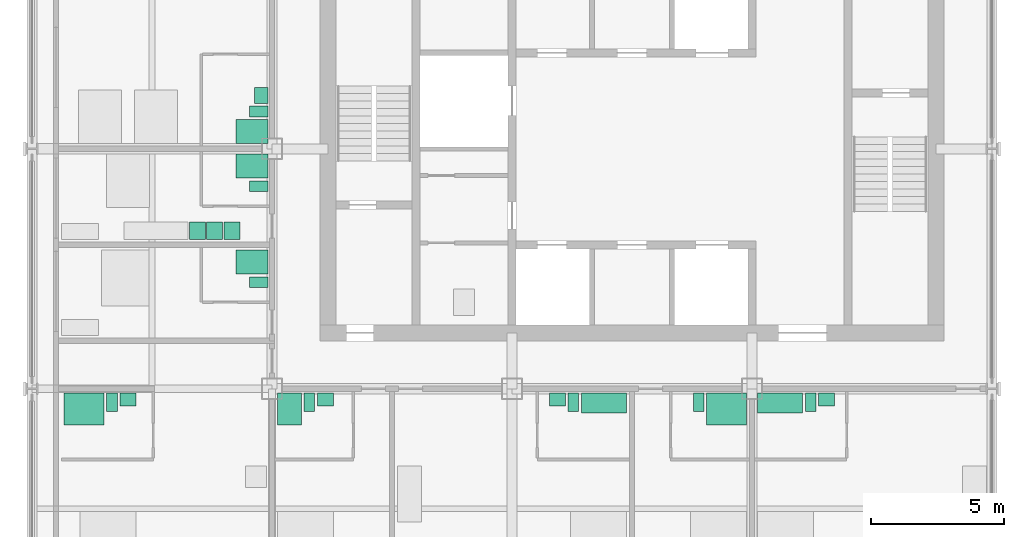
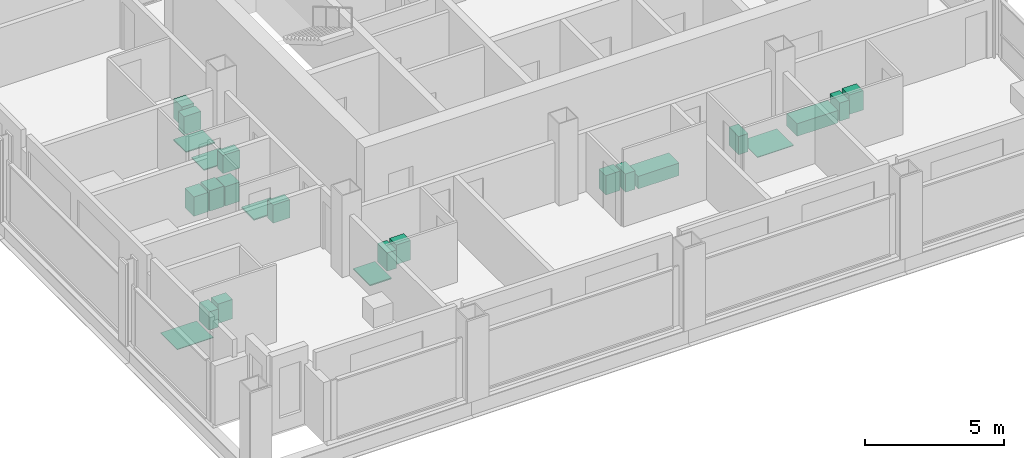
# One storey, part 11 of 12: 21 sanitary terminals, 3 electric appliances.
"""IFC4 building model written with IfcOpenShell, lengths in metres."""

import ifcopenshell
import ifcopenshell.guid

model = None  # the IFC model being written
_history = None  # IfcOwnerHistory: only IFC2X3 demands one
_inside = {}  # id of a spatial element -> (the spatial element, [elements in it])
_under = {}  # id of a project, library or spatial element -> (it, [spatial elements below it])
_declared = {}  # id of a project -> (the project, [libraries it declares])
_typed = {}  # id of a type object -> (the type object, [elements of that type])
_made_of = {}  # id of a material, layer set ... -> (it, [elements and type objects made of it])


def new_model(schema):
    """Start an empty IFC model of exactly this schema.

    Asked for "IFC4X3", IfcOpenShell would pick the latest addendum, in which some entities
    have other attributes; the version numbers below select the first issue.
    IFC2X3 requires an IfcOwnerHistory on every rooted entity: one is made here for all.
    """
    global model, _history
    if schema == "IFC4X3":
        model = ifcopenshell.file(schema_version=(4, 3, 0, 0))
    else:
        model = ifcopenshell.file(schema=schema)
    _inside.clear()
    _under.clear()
    _declared.clear()
    _typed.clear()
    _made_of.clear()
    _history = None
    if model.schema == "IFC2X3":
        org = make("IfcOrganization", Name="unknown")
        user = make(
            "IfcPersonAndOrganization",
            ThePerson=make("IfcPerson", FamilyName="unknown"),
            TheOrganization=org,
        )
        app = make(
            "IfcApplication",
            ApplicationDeveloper=org,
            Version="unknown",
            ApplicationFullName="unknown",
            ApplicationIdentifier="unknown",
        )
        _history = make(
            "IfcOwnerHistory",
            OwningUser=user,
            OwningApplication=app,
            ChangeAction="ADDED",
            CreationDate=0,
        )
    return model


def make(cls, **values):
    """One entity of the class cls with the attributes given. An attribute that is None is left unset."""
    return model.create_entity(
        cls, **{name: value for name, value in values.items() if value is not None}
    )


def rooted(cls, **values):
    """An entity with a GlobalId (a new one), such as an element, a storey or a relation."""
    return make(cls, GlobalId=ifcopenshell.guid.new(), OwnerHistory=_history, **values)


def si_unit(unit_type, name, prefix=None):
    """IfcSIUnit, for example si_unit("LENGTHUNIT", "METRE", prefix="MILLI")."""
    return make("IfcSIUnit", UnitType=unit_type, Prefix=prefix, Name=name)


def assignment(units):
    """IfcUnitAssignment: the units of a project."""
    return None if units is None else make("IfcUnitAssignment", Units=units)


def point(xyz):
    """IfcCartesianPoint."""
    return None if xyz is None else make("IfcCartesianPoint", Coordinates=xyz)


def direction(xyz):
    """IfcDirection."""
    return None if xyz is None else make("IfcDirection", DirectionRatios=xyz)


def frame(location, z_axis=None, x_axis=None):
    """IfcAxis2Placement3D, a coordinate frame: its origin and axes. An axis left out is left unset."""
    return make(
        "IfcAxis2Placement3D",
        Location=point(location),
        Axis=direction(z_axis),
        RefDirection=direction(x_axis),
    )


def frame_2d(location, x_axis=None):
    """IfcAxis2Placement2D, a coordinate frame in the plane: its origin and x axis."""
    return make(
        "IfcAxis2Placement2D", Location=point(location), RefDirection=direction(x_axis)
    )


def origin():
    """The frame at (0, 0, 0) with its axes left unset."""
    return frame((0.0, 0.0, 0.0))


def origin_2d():
    """The frame at (0, 0) in the plane with its x axis left unset."""
    return frame_2d((0.0, 0.0))


def place(relative_to, where):
    """IfcLocalPlacement: puts the frame where relative to a parent placement (None: the world)."""
    return make(
        "IfcLocalPlacement", PlacementRelTo=relative_to, RelativePlacement=where
    )


def context(
    kind, dimensions, precision=None, world=None, true_north=None, identifier=None
):
    """IfcGeometricRepresentationContext, for example the 3D "Model" context."""
    return make(
        "IfcGeometricRepresentationContext",
        ContextIdentifier=identifier,
        ContextType=kind,
        CoordinateSpaceDimension=dimensions,
        Precision=precision,
        WorldCoordinateSystem=world,
        TrueNorth=true_north,
    )


def subcontext(parent, identifier, kind, view, scale=None):
    """IfcGeometricRepresentationSubContext, for example "Body" below "Model"."""
    return make(
        "IfcGeometricRepresentationSubContext",
        ContextIdentifier=identifier,
        ContextType=kind,
        ParentContext=parent,
        TargetScale=scale,
        TargetView=view,
    )


def project(units=None, contexts=None):
    """IfcProject with its units and contexts."""
    return rooted(
        "IfcProject",
        Name="project",
        RepresentationContexts=contexts,
        UnitsInContext=assignment(units),
    )


def spatial(cls, under=None, at=None, **own):
    """A site, building, storey or space (cls), placed at a placement, below another one or the project."""
    s = rooted(cls, ObjectPlacement=at, **own)
    if under is not None:
        _under.setdefault(under.id(), (under, []))[1].append(s)
    return s


def profile(cls, at=None, kind="AREA", **sizes):
    """A parametric profile (cls). Its sizes go by their IFC names, for example OverallWidth=200.0."""
    return make(cls, ProfileType=kind, Position=at, **sizes)


def rectangle(**sizes):
    """IfcRectangleProfileDef."""
    return profile("IfcRectangleProfileDef", **sizes)


def extrude(swept, where, along, depth):
    """IfcExtrudedAreaSolid: the profile swept, set in the frame where, extruded along a direction by depth."""
    return make(
        "IfcExtrudedAreaSolid",
        SweptArea=swept,
        Position=where,
        ExtrudedDirection=direction(along),
        Depth=depth,
    )


def shape(context_of_items, identifier, shape_type, items):
    """IfcShapeRepresentation: the items that make up one representation, for example the "Body"."""
    return make(
        "IfcShapeRepresentation",
        ContextOfItems=context_of_items,
        RepresentationIdentifier=identifier,
        RepresentationType=shape_type,
        Items=items,
    )


def made_of(thing, what):
    """Note that an element or type object is made of a material, layer set ...; save() writes the relation."""
    if what is not None:
        _made_of.setdefault(what.id(), (what, []))[1].append(thing)
    return thing


def element(
    cls,
    number,
    at=None,
    inside=None,
    cuts=None,
    type_object=None,
    material=None,
    context=None,
    identifier="Body",
    shape_type=None,
    held_by="IfcProductDefinitionShape",
    body=None,
    shapes=None,
    **own,
):
    """One element of the class cls, such as IfcWall. Its Tag is "e" and its number.

    at: its placement. inside: the storey or other place that contains it. cuts: it is an
    opening in that element (IfcRelVoidsElement). A single representation is given by context,
    identifier, shape_type and body (its items); several are given by shapes. held_by: the class
    of the entity that holds the representations. save() writes the other relations.
    """
    e = rooted(cls, Tag="e%d" % number, ObjectPlacement=at, **own)
    if body is not None:
        shapes = [shape(context, identifier, shape_type, body)]
    if shapes is not None:
        e.Representation = make(held_by, Representations=shapes)
    if inside is not None:
        _inside.setdefault(inside.id(), (inside, []))[1].append(e)
    if cuts is not None:
        rooted(
            "IfcRelVoidsElement", RelatingBuildingElement=cuts, RelatedOpeningElement=e
        )
    if type_object is not None:
        _typed.setdefault(type_object.id(), (type_object, []))[1].append(e)
    return made_of(e, material)


def aggregate(whole, parts):
    """IfcRelAggregates: a whole, such as a stair, and the parts it consists of."""
    return rooted("IfcRelAggregates", RelatingObject=whole, RelatedObjects=parts)


def save(model, path):
    """Write the relations noted so far, then the file.

    IfcRelAggregates (storeys below a building ...), IfcRelContainedInSpatialStructure (elements
    in a storey), IfcRelDefinesByType, IfcRelAssociatesMaterial and IfcRelDeclares: one each for
    every whole, place, type object, material and project.
    """
    for whole, parts in _under.values():
        aggregate(whole, parts)
    for where, things in _inside.values():
        rooted(
            "IfcRelContainedInSpatialStructure",
            RelatedElements=things,
            RelatingStructure=where,
        )
    for kind, things in _typed.values():
        rooted("IfcRelDefinesByType", RelatedObjects=things, RelatingType=kind)
    for what, things in _made_of.values():
        rooted("IfcRelAssociatesMaterial", RelatedObjects=things, RelatingMaterial=what)
    for by, libraries in _declared.values():
        rooted("IfcRelDeclares", RelatingContext=by, RelatedDefinitions=libraries)
    model.write(path)


model = new_model("IFC4")

# Units and contexts
model_context = context("Model", 3, precision=1e-05, world=origin(), true_north=direction((0.0, 1.0)))
body_context = subcontext(model_context, "Body", "Model", "MODEL_VIEW")
ifc_project = project(units=[si_unit("LENGTHUNIT", "METRE"), si_unit("AREAUNIT", "SQUARE_METRE"), si_unit("VOLUMEUNIT", "CUBIC_METRE"), si_unit("PLANEANGLEUNIT", "RADIAN"), si_unit("MASSUNIT", "GRAM", prefix="KILO")], contexts=[model_context])

# Site, building, storey
site_placement = place(None, origin())
site = spatial("IfcSite", under=ifc_project, at=site_placement, CompositionType="ELEMENT")
building_placement = place(site_placement, origin())
building = spatial("IfcBuilding", under=site, at=building_placement, Name="Loomwork Tower", CompositionType="ELEMENT")
storey_placement = place(building_placement, frame((0.0, 0.0, 233.800048828125)))
storey = spatial("IfcBuildingStorey", under=building, at=storey_placement, Name="L64", CompositionType="ELEMENT", Elevation=233.800048828125)

# Sanitary terminals
sanitary_terminal_1_placement = place(storey_placement, frame((1.949951171875, 8.25, 0.0), z_axis=(0.0, 0.0, 1.0), x_axis=(1.0, 0.0, 0.0)))
element("IfcSanitaryTerminal", 1, at=sanitary_terminal_1_placement, inside=storey, Name="Roll-in shower floor L64", PredefinedType="SHOWER", context=body_context, shape_type="SweptSolid", body=[
    extrude(rectangle(XDim=1.5, YDim=1.199951171875, at=origin_2d()), origin(), (0.0, 0.0, 1.0), 0.030029296875),
])
sanitary_terminal_2_placement = place(storey_placement, frame((3.0, 8.5, 0.0), z_axis=(0.0, 0.0, 1.0), x_axis=(1.0, 0.0, 0.0)))
element("IfcSanitaryTerminal", 2, at=sanitary_terminal_2_placement, inside=storey, Name="WC L64", PredefinedType="TOILETPAN", context=body_context, shape_type="SweptSolid", body=[
    extrude(rectangle(XDim=0.39990234375, YDim=0.699951171875, at=origin_2d()), origin(), (0.0, 0.0, 1.0), 0.800048828125),
])
sanitary_terminal_3_placement = place(storey_placement, frame((3.60009765625, 8.60009765625, 0.0), z_axis=(0.0, 0.0, 1.0), x_axis=(1.0, 0.0, 0.0)))
element("IfcSanitaryTerminal", 3, at=sanitary_terminal_3_placement, inside=storey, Name="Basin vanity L64", PredefinedType="WASHHANDBASIN", context=body_context, shape_type="SweptSolid", body=[
    extrude(rectangle(XDim=0.60009765625, YDim=0.5, at=origin_2d()), origin(), (0.0, 0.0, 1.0), 0.85009765625),
])
sanitary_terminal_4_placement = place(storey_placement, frame((9.64990234375, 8.25, 0.0), z_axis=(0.0, 0.0, 1.0), x_axis=(1.0, 0.0, 0.0)))
element("IfcSanitaryTerminal", 4, at=sanitary_terminal_4_placement, inside=storey, Name="Shower tray L64", PredefinedType="SHOWER", context=body_context, shape_type="SweptSolid", body=[
    extrude(rectangle(XDim=0.89990234375, YDim=1.199951171875, at=origin_2d()), origin(), (0.0, 0.0, 1.0), 0.050048828125),
])
sanitary_terminal_5_placement = place(storey_placement, frame((10.39990234375, 8.5, 0.0), z_axis=(0.0, 0.0, 1.0), x_axis=(1.0, 0.0, 0.0)))
element("IfcSanitaryTerminal", 5, at=sanitary_terminal_5_placement, inside=storey, Name="WC L64", PredefinedType="TOILETPAN", context=body_context, shape_type="SweptSolid", body=[
    extrude(rectangle(XDim=0.39990234375, YDim=0.699951171875, at=origin_2d()), origin(), (0.0, 0.0, 1.0), 0.800048828125),
])
sanitary_terminal_6_placement = place(storey_placement, frame((11.0, 8.60009765625, 0.0), z_axis=(0.0, 0.0, 1.0), x_axis=(1.0, 0.0, 0.0)))
element("IfcSanitaryTerminal", 6, at=sanitary_terminal_6_placement, inside=storey, Name="Basin vanity L64", PredefinedType="WASHHANDBASIN", context=body_context, shape_type="SweptSolid", body=[
    extrude(rectangle(XDim=0.60009765625, YDim=0.5, at=origin_2d()), origin(), (0.0, 0.0, 1.0), 0.85009765625),
])
sanitary_terminal_7_placement = place(storey_placement, frame((21.449951171875, 8.47509765625, 0.0), z_axis=(0.0, 0.0, 1.0), x_axis=(1.0, 0.0, 0.0)))
element("IfcSanitaryTerminal", 7, at=sanitary_terminal_7_placement, inside=storey, Name="Bath L64", PredefinedType="BATH", context=body_context, shape_type="SweptSolid", body=[
    extrude(rectangle(XDim=1.699951171875, YDim=0.75, at=origin_2d()), origin(), (0.0, 0.0, 1.0), 0.550048828125),
])
sanitary_terminal_8_placement = place(storey_placement, frame((20.300048828125, 8.5, 0.0), z_axis=(0.0, 0.0, 1.0), x_axis=(1.0, 0.0, 0.0)))
element("IfcSanitaryTerminal", 8, at=sanitary_terminal_8_placement, inside=storey, Name="WC L64", PredefinedType="TOILETPAN", context=body_context, shape_type="SweptSolid", body=[
    extrude(rectangle(XDim=0.39990234375, YDim=0.699951171875, at=origin_2d()), origin(), (0.0, 0.0, 1.0), 0.800048828125),
])
sanitary_terminal_9_placement = place(storey_placement, frame((19.699951171875, 8.60009765625, 0.0), z_axis=(0.0, 0.0, 1.0), x_axis=(1.0, 0.0, 0.0)))
element("IfcSanitaryTerminal", 9, at=sanitary_terminal_9_placement, inside=storey, Name="Basin vanity L64", PredefinedType="WASHHANDBASIN", context=body_context, shape_type="SweptSolid", body=[
    extrude(rectangle(XDim=0.60009765625, YDim=0.5, at=origin_2d()), origin(), (0.0, 0.0, 1.0), 0.85009765625),
])
sanitary_terminal_10_placement = place(storey_placement, frame((26.050048828125, 8.25, 0.0), z_axis=(0.0, 0.0, 1.0), x_axis=(1.0, 0.0, 0.0)))
element("IfcSanitaryTerminal", 10, at=sanitary_terminal_10_placement, inside=storey, Name="Roll-in shower floor L64", PredefinedType="SHOWER", context=body_context, shape_type="SweptSolid", body=[
    extrude(rectangle(XDim=1.5, YDim=1.199951171875, at=origin_2d()), origin(), (0.0, 0.0, 1.0), 0.030029296875),
])
sanitary_terminal_11_placement = place(storey_placement, frame((25.0, 8.5, 0.0), z_axis=(0.0, 0.0, 1.0), x_axis=(1.0, 0.0, 0.0)))
element("IfcSanitaryTerminal", 11, at=sanitary_terminal_11_placement, inside=storey, Name="WC L64", PredefinedType="TOILETPAN", context=body_context, shape_type="SweptSolid", body=[
    extrude(rectangle(XDim=0.39990234375, YDim=0.699951171875, at=origin_2d()), origin(), (0.0, 0.0, 1.0), 0.800048828125),
])
sanitary_terminal_12_placement = place(storey_placement, frame((28.050048828125, 8.47509765625, 0.0), z_axis=(0.0, 0.0, 1.0), x_axis=(1.0, 0.0, 0.0)))
element("IfcSanitaryTerminal", 12, at=sanitary_terminal_12_placement, inside=storey, Name="Bath L64", PredefinedType="BATH", context=body_context, shape_type="SweptSolid", body=[
    extrude(rectangle(XDim=1.699951171875, YDim=0.75, at=origin_2d()), origin(), (0.0, 0.0, 1.0), 0.550048828125),
])
sanitary_terminal_13_placement = place(storey_placement, frame((29.199951171875, 8.5, 0.0), z_axis=(0.0, 0.0, 1.0), x_axis=(1.0, 0.0, 0.0)))
element("IfcSanitaryTerminal", 13, at=sanitary_terminal_13_placement, inside=storey, Name="WC L64", PredefinedType="TOILETPAN", context=body_context, shape_type="SweptSolid", body=[
    extrude(rectangle(XDim=0.39990234375, YDim=0.699951171875, at=origin_2d()), origin(), (0.0, 0.0, 1.0), 0.800048828125),
])
sanitary_terminal_14_placement = place(storey_placement, frame((29.800048828125, 8.60009765625, 0.0), z_axis=(0.0, 0.0, 1.0), x_axis=(1.0, 0.0, 0.0)))
element("IfcSanitaryTerminal", 14, at=sanitary_terminal_14_placement, inside=storey, Name="Basin vanity L64", PredefinedType="WASHHANDBASIN", context=body_context, shape_type="SweptSolid", body=[
    extrude(rectangle(XDim=0.60009765625, YDim=0.5, at=origin_2d()), origin(), (0.0, 0.0, 1.0), 0.85009765625),
])
sanitary_terminal_15_placement = place(storey_placement, frame((8.25, 13.75, 0.0), z_axis=(0.0, 0.0, 1.0), x_axis=(1.0, 0.0, 0.0)))
element("IfcSanitaryTerminal", 15, at=sanitary_terminal_15_placement, inside=storey, Name="Shower tray L64", PredefinedType="SHOWER", context=body_context, shape_type="SweptSolid", body=[
    extrude(rectangle(XDim=1.199951171875, YDim=0.89990234375, at=origin_2d()), origin(), (0.0, 0.0, 1.0), 0.050048828125),
])
sanitary_terminal_16_placement = place(storey_placement, frame((8.5, 13.0, 0.0), z_axis=(0.0, 0.0, 1.0), x_axis=(1.0, 0.0, 0.0)))
element("IfcSanitaryTerminal", 16, at=sanitary_terminal_16_placement, inside=storey, Name="WC L64", PredefinedType="TOILETPAN", context=body_context, shape_type="SweptSolid", body=[
    extrude(rectangle(XDim=0.699951171875, YDim=0.39990234375, at=origin_2d()), origin(), (0.0, 0.0, 1.0), 0.800048828125),
])
sanitary_terminal_17_placement = place(storey_placement, frame((8.25, 17.35009765625, 0.0), z_axis=(0.0, 0.0, 1.0), x_axis=(1.0, 0.0, 0.0)))
element("IfcSanitaryTerminal", 17, at=sanitary_terminal_17_placement, inside=storey, Name="Shower tray L64", PredefinedType="SHOWER", context=body_context, shape_type="SweptSolid", body=[
    extrude(rectangle(XDim=1.199951171875, YDim=0.89990234375, at=origin_2d()), origin(), (0.0, 0.0, 1.0), 0.050048828125),
])
sanitary_terminal_18_placement = place(storey_placement, frame((8.5, 16.60009765625, 0.0), z_axis=(0.0, 0.0, 1.0), x_axis=(1.0, 0.0, 0.0)))
element("IfcSanitaryTerminal", 18, at=sanitary_terminal_18_placement, inside=storey, Name="WC L64", PredefinedType="TOILETPAN", context=body_context, shape_type="SweptSolid", body=[
    extrude(rectangle(XDim=0.699951171875, YDim=0.39990234375, at=origin_2d()), origin(), (0.0, 0.0, 1.0), 0.800048828125),
])

# Electric appliances
electric_appliance_1_placement = place(storey_placement, frame((7.5, 14.925048828125, 0.0), z_axis=(0.0, 0.0, 1.0), x_axis=(1.0, 0.0, 0.0)))
element("IfcElectricAppliance", 19, at=electric_appliance_1_placement, inside=storey, Name="Refrigerator L64", PredefinedType="REFRIGERATOR", context=body_context, shape_type="SweptSolid", body=[
    extrude(rectangle(XDim=0.60009765625, YDim=0.64990234375, at=origin_2d()), origin(), (0.0, 0.0, 1.0), 0.85009765625),
])
electric_appliance_2_placement = place(storey_placement, frame((6.85009765625, 14.925048828125, 0.0), z_axis=(0.0, 0.0, 1.0), x_axis=(1.0, 0.0, 0.0)))
element("IfcElectricAppliance", 20, at=electric_appliance_2_placement, inside=storey, Name="Two-ring cooktop and oven L64", PredefinedType="ELECTRICCOOKER", context=body_context, shape_type="SweptSolid", body=[
    extrude(rectangle(XDim=0.60009765625, YDim=0.64990234375, at=origin_2d()), origin(), (0.0, 0.0, 1.0), 0.89990234375),
])
electric_appliance_3_placement = place(storey_placement, frame((6.199951171875, 14.925048828125, 0.0), z_axis=(0.0, 0.0, 1.0), x_axis=(1.0, 0.0, 0.0)))
element("IfcElectricAppliance", 21, at=electric_appliance_3_placement, inside=storey, Name="Dishwasher L64", PredefinedType="DISHWASHER", context=body_context, shape_type="SweptSolid", body=[
    extrude(rectangle(XDim=0.60009765625, YDim=0.64990234375, at=origin_2d()), origin(), (0.0, 0.0, 1.0), 0.85009765625),
])

# Sanitary terminals
sanitary_terminal_19_placement = place(storey_placement, frame((8.25, 18.64990234375, 0.0), z_axis=(0.0, 0.0, 1.0), x_axis=(1.0, 0.0, 0.0)))
element("IfcSanitaryTerminal", 22, at=sanitary_terminal_19_placement, inside=storey, Name="Shower tray L64", PredefinedType="SHOWER", context=body_context, shape_type="SweptSolid", body=[
    extrude(rectangle(XDim=1.199951171875, YDim=0.89990234375, at=origin_2d()), origin(), (0.0, 0.0, 1.0), 0.050048828125),
])
sanitary_terminal_20_placement = place(storey_placement, frame((8.5, 19.39990234375, 0.0), z_axis=(0.0, 0.0, 1.0), x_axis=(1.0, 0.0, 0.0)))
element("IfcSanitaryTerminal", 23, at=sanitary_terminal_20_placement, inside=storey, Name="WC L64", PredefinedType="TOILETPAN", context=body_context, shape_type="SweptSolid", body=[
    extrude(rectangle(XDim=0.699951171875, YDim=0.39990234375, at=origin_2d()), origin(), (0.0, 0.0, 1.0), 0.800048828125),
])
sanitary_terminal_21_placement = place(storey_placement, frame((8.60009765625, 20.0, 0.0), z_axis=(0.0, 0.0, 1.0), x_axis=(1.0, 0.0, 0.0)))
element("IfcSanitaryTerminal", 24, at=sanitary_terminal_21_placement, inside=storey, Name="Basin vanity L64", PredefinedType="WASHHANDBASIN", context=body_context, shape_type="SweptSolid", body=[
    extrude(rectangle(XDim=0.5, YDim=0.60009765625, at=origin_2d()), origin(), (0.0, 0.0, 1.0), 0.85009765625),
])

save(model, "model.ifc")
